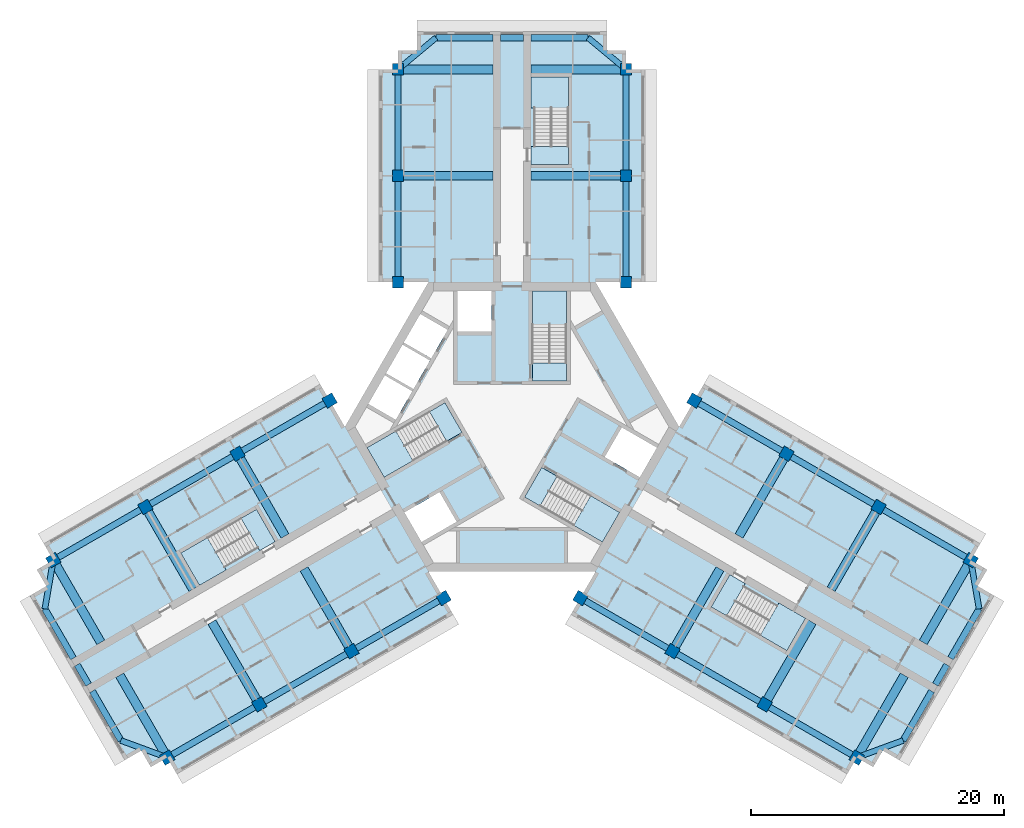
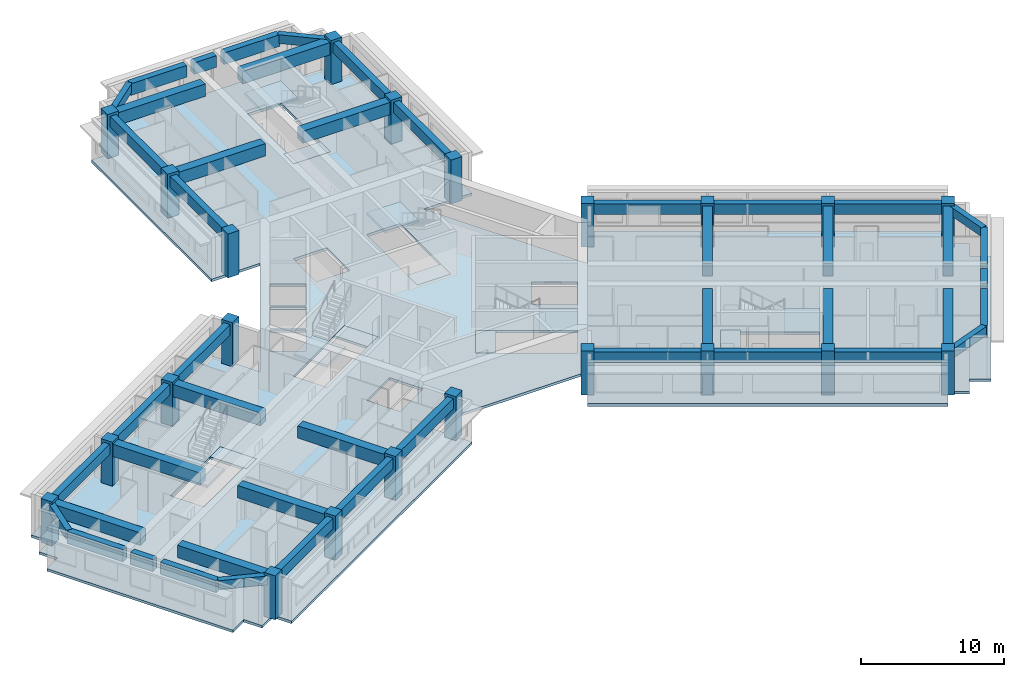
# One storey, part 1 of 11: 47 beams, 22 columns, 13 slabs, 6 elements without a shape of their own.
"""IFC4 building model written with IfcOpenShell, lengths in metres."""

from ifc_helpers import new_model, si_unit, direction, frame, origin, origin_2d, place, context, subcontext, project, spatial, polyline, rectangle, outline, extrude, material, layer, layer_set, material_profile, profile_set, type_object, element, aggregate, save


model = new_model("IFC4")

# Units and contexts
model_context = context("Model", 3, precision=1e-05, world=origin(), true_north=direction((0.0, 1.0)))
body_context = subcontext(model_context, "Body", "Model", "MODEL_VIEW")
ifc_project = project(units=[si_unit("LENGTHUNIT", "METRE"), si_unit("AREAUNIT", "SQUARE_METRE"), si_unit("VOLUMEUNIT", "CUBIC_METRE"), si_unit("PLANEANGLEUNIT", "RADIAN"), si_unit("MASSUNIT", "GRAM", prefix="KILO")], contexts=[model_context])

# Site, building, storey
site_placement = place(None, origin())
site = spatial("IfcSite", under=ifc_project, at=site_placement, CompositionType="ELEMENT")
building_placement = place(site_placement, origin())
building = spatial("IfcBuilding", under=site, at=building_placement, Name="Impinga Residences", CompositionType="ELEMENT")
storey_placement = place(building_placement, frame((0.0, 0.0, 207.25)))
storey = spatial("IfcBuildingStorey", under=building, at=storey_placement, Name="L51", CompositionType="ELEMENT", Elevation=207.25)

# Columns
ifc_material_1 = material(Name="Concrete C60/75", Category="concrete")
ifc_material_profile_1 = material_profile(ifc_material_1, rectangle(XDim=0.89990234375, YDim=0.89990234375, at=origin_2d()), Name="RC 900x900")
ifc_profile_set_1 = profile_set([ifc_material_profile_1], Name="Concrete C60/75")
column_type = type_object("IfcColumnType", Name="C4 900x900 column", PredefinedType="COLUMN", material=ifc_profile_set_1)
for number, where, z_axis, x_axis, name in (
    (1, (-9.0, 11.431640625, 0.0), (0.0, 0.0, 1.0), (1.0, 0.0, 0.0), "Column C4 N1/NA L51"),
    (2, (9.0, 11.431640625, 0.0), (0.0, 0.0, 1.0), (1.0, 0.0, 0.0), "Column C4 N1/NF L51"),
    (3, (-9.0, 19.83154296875, 0.0), (0.0, 0.0, 1.0), (1.0, 0.0, 0.0), "Column C4 N2/NA L51"),
    (4, (9.0, 19.83154296875, 0.0), (0.0, 0.0, 1.0), (1.0, 0.0, 0.0), "Column C4 N2/NF L51"),
    (5, (-9.0, 28.2314453125, 0.0), (0.0, 0.0, 1.0), (1.0, 0.0, 0.0), "Column C4 N3/NA L51"),
    (6, (9.0, 28.2314453125, 0.0), (0.0, 0.0, 1.0), (1.0, 0.0, 0.0), "Column C4 N3/NF L51"),
    (7, (-5.39990234375, -13.510009765625, 0.0), (0.0, 0.0, 1.0), (-0.5, 0.866025403784, 0.0), "Column C4 W1/WA L51"),
    (8, (-14.39990234375, 2.078369140625, 0.0), (0.0, 0.0, 1.0), (-0.5, 0.866025403784, 0.0), "Column C4 W1/WF L51"),
    (9, (-12.674560546875, -17.7099609375, 0.0), (0.0, 0.0, 1.0), (-0.5, 0.866025403784, 0.0), "Column C4 W2/WA L51"),
    (10, (-21.674560546875, -2.12158203125, 0.0), (0.0, 0.0, 1.0), (-0.5, 0.866025403784, 0.0), "Column C4 W2/WF L51"),
    (11, (-19.94921875, -21.909912109375, 0.0), (0.0, 0.0, 1.0), (-0.5, 0.866025403784, 0.0), "Column C4 W3/WA L51"),
    (12, (-28.94921875, -6.321533203125, 0.0), (0.0, 0.0, 1.0), (-0.5, 0.866025403784, 0.0), "Column C4 W3/WF L51"),
    (13, (-27.223876953125, -26.110107421875, 0.0), (0.0, 0.0, 1.0), (-0.5, 0.866025403784, 0.0), "Column C4 W4/WA L51"),
    (14, (-36.223876953125, -10.521484375, 0.0), (0.0, 0.0, 1.0), (-0.5, 0.866025403784, 0.0), "Column C4 W4/WF L51"),
    (15, (14.39990234375, 2.078369140625, 0.0), (0.0, 0.0, 1.0), (-0.5, -0.866025403784, 0.0), "Column C4 E1/EA L51"),
    (16, (5.39990234375, -13.510009765625, 0.0), (0.0, 0.0, 1.0), (-0.5, -0.866025403784, 0.0), "Column C4 E1/EF L51"),
    (17, (21.674560546875, -2.12158203125, 0.0), (0.0, 0.0, 1.0), (-0.5, -0.866025403784, 0.0), "Column C4 E2/EA L51"),
    (18, (12.674560546875, -17.7099609375, 0.0), (0.0, 0.0, 1.0), (-0.5, -0.866025403784, 0.0), "Column C4 E2/EF L51"),
    (19, (28.94921875, -6.321533203125, 0.0), (0.0, 0.0, 1.0), (-0.5, -0.866025403784, 0.0), "Column C4 E3/EA L51"),
    (20, (19.94921875, -21.909912109375, 0.0), (0.0, 0.0, 1.0), (-0.5, -0.866025403784, 0.0), "Column C4 E3/EF L51"),
    (21, (36.223876953125, -10.521484375, 0.0), (0.0, 0.0, 1.0), (-0.5, -0.866025403784, 0.0), "Column C4 E4/EA L51"),
    (22, (27.223876953125, -26.110107421875, 0.0), (0.0, 0.0, 1.0), (-0.5, -0.866025403784, 0.0), "Column C4 E4/EF L51"),
):
    element("IfcColumn", number, at=place(storey_placement, frame(where, z_axis=z_axis, x_axis=x_axis)), inside=storey, type_object=column_type, Name=name, PredefinedType="COLUMN", context=body_context, shape_type="SweptSolid", body=[
        extrude(rectangle(XDim=0.89990234375, YDim=0.89990234375, at=origin_2d()), origin(), (0.0, 0.0, 1.0), 3.75),
    ])

# Beams
ifc_material_profile_2 = material_profile(ifc_material_1, rectangle(XDim=0.449951171875, YDim=0.75, at=origin_2d()), Name="RC 450x750")
ifc_profile_set_2 = profile_set([ifc_material_profile_2], Name="Concrete C60/75")
beam_type_1 = type_object("IfcBeamType", Name="CB1 450x750 wing end cantilever beam", PredefinedType="BEAM", material=ifc_profile_set_2)
for number, where, z_axis, x_axis, name in (
    (23, (-9.0, 28.2314453125, 3.155029296875), (0.768221279597, 0.640184399664, 0.0), (-0.640184399664, 0.768221279597, 0.0), "Beam CB1 NB N3-NX level L52"),
    (24, (9.0, 28.2314453125, 3.155029296875), (-0.768221279597, 0.640184399664, 0.0), (-0.640184399664, -0.768221279597, 0.0), "Beam CB1 NE N3-NX level L52"),
    (25, (-27.223876953125, -26.110107421875, 3.155029296875), (-0.938520178725, 0.345224382289, 0.0), (-0.345224382289, -0.938520178725, 0.0), "Beam CB1 WB W4-WX level L52"),
):
    element("IfcBeam", number, at=place(storey_placement, frame(where, z_axis=z_axis, x_axis=x_axis)), inside=storey, type_object=beam_type_1, Name=name, PredefinedType="BEAM", context=body_context, shape_type="SweptSolid", body=[
        extrude(rectangle(XDim=0.449951171875, YDim=0.75, at=origin_2d()), origin(), (0.0, 0.0, 1.0), 3.905029296875),
    ])
for number, where, z_axis, x_axis, name in (
    (26, (-36.223876953125, -10.521484375, 3.155029296875), (-0.170296298948, -0.985392901621, 0.0), (0.985392901621, -0.170296298948, 0.0), "Beam CB1 WE W4-WX level L52"),
    (27, (36.223876953125, -10.521484375, 3.155029296875), (0.170296298948, -0.985392901621, 0.0), (0.985392901621, 0.170296298948, 0.0), "Beam CB1 EB E4-EX level L52"),
):
    element("IfcBeam", number, at=place(storey_placement, frame(where, z_axis=z_axis, x_axis=x_axis)), inside=storey, type_object=beam_type_1, Name=name, PredefinedType="BEAM", context=body_context, shape_type="SweptSolid", body=[
        extrude(rectangle(XDim=0.449951171875, YDim=0.75, at=origin_2d()), origin(), (0.0, 0.0, 1.0), 3.9052734375),
    ])
beam_1_placement = place(storey_placement, frame((27.223876953125, -26.110107421875, 3.155029296875), z_axis=(0.938520178725, 0.345224382289, 0.0), x_axis=(-0.345224382289, 0.938520178725, 0.0)))
element("IfcBeam", 28, at=beam_1_placement, inside=storey, type_object=beam_type_1, Name="Beam CB1 EE E4-EX level L52", PredefinedType="BEAM", context=body_context, shape_type="SweptSolid", body=[
    extrude(rectangle(XDim=0.449951171875, YDim=0.75, at=origin_2d()), origin(), (0.0, 0.0, 1.0), 3.905029296875),
])
ifc_material_profile_3 = material_profile(ifc_material_1, rectangle(XDim=0.699951171875, YDim=1.050048828125, at=origin_2d()), Name="RC 700x1050")
ifc_profile_set_3 = profile_set([ifc_material_profile_3], Name="Concrete C60/75")
beam_type_2 = type_object("IfcBeamType", Name="CG1 700x1050 cross girder on a wing bay line", PredefinedType="BEAM", material=ifc_profile_set_3)
for number, where, z_axis, x_axis, name in (
    (29, (-1.5, 19.83154296875, 3.0048828125), (-1.0, 0.0, 0.0), (0.0, -1.0, 0.0), "Beam CG1 N2 NC/NA level L52"),
    (30, (-1.5, 28.2314453125, 3.0048828125), (-1.0, 0.0, 0.0), (0.0, -1.0, 0.0), "Beam CG1 N3 NC/NA level L52"),
    (31, (1.5, 19.83154296875, 3.0048828125), (1.0, 0.0, 0.0), (0.0, 1.0, 0.0), "Beam CG1 N2 NC/NF level L52"),
    (32, (1.5, 28.2314453125, 3.0048828125), (1.0, 0.0, 0.0), (0.0, 1.0, 0.0), "Beam CG1 N3 NC/NF level L52"),
    (33, (-16.424560546875, -11.21484375, 3.0048828125), (0.500004234368, -0.866022959057, 0.0), (0.866022959057, 0.500004234368, 0.0), "Beam CG1 W2 WC/WA level L52"),
    (34, (-23.69921875, -15.414794921875, 3.0048828125), (0.500004234368, -0.866022959057, 0.0), (0.866022959057, 0.500004234368, 0.0), "Beam CG1 W3 WC/WA level L52"),
):
    element("IfcBeam", number, at=place(storey_placement, frame(where, z_axis=z_axis, x_axis=x_axis)), inside=storey, type_object=beam_type_2, Name=name, PredefinedType="BEAM", context=body_context, shape_type="SweptSolid", body=[
        extrude(rectangle(XDim=0.699951171875, YDim=1.050048828125, at=origin_2d()), origin(), (0.0, 0.0, 1.0), 7.5),
    ])
beam_2_placement = place(storey_placement, frame((-30.973876953125, -19.61474609375, 3.0048828125), z_axis=(0.499990139034, -0.866031096941, 0.0), x_axis=(0.866031096941, 0.499990139034, 0.0)))
element("IfcBeam", 35, at=beam_2_placement, inside=storey, type_object=beam_type_2, Name="Beam CG1 W4 WC/WA level L52", PredefinedType="BEAM", context=body_context, shape_type="SweptSolid", body=[
    extrude(rectangle(XDim=0.699951171875, YDim=1.050048828125, at=origin_2d()), origin(), (0.0, 0.0, 1.0), 7.500244140625),
])
for number, where, z_axis, x_axis, name in (
    (36, (-17.924560546875, -8.61669921875, 3.0048828125), (-0.500004234368, 0.866022959057, 0.0), (-0.866022959057, -0.500004234368, 0.0), "Beam CG1 W2 WC/WF level L52"),
    (37, (-25.19921875, -12.816650390625, 3.0048828125), (-0.500004234368, 0.866022959057, 0.0), (-0.866022959057, -0.500004234368, 0.0), "Beam CG1 W3 WC/WF level L52"),
):
    element("IfcBeam", number, at=place(storey_placement, frame(where, z_axis=z_axis, x_axis=x_axis)), inside=storey, type_object=beam_type_2, Name=name, PredefinedType="BEAM", context=body_context, shape_type="SweptSolid", body=[
        extrude(rectangle(XDim=0.699951171875, YDim=1.050048828125, at=origin_2d()), origin(), (0.0, 0.0, 1.0), 7.5),
    ])
beam_3_placement = place(storey_placement, frame((-32.473876953125, -17.016845703125, 3.0048828125), z_axis=(-0.499990139034, 0.866031096941, 0.0), x_axis=(-0.866031096941, -0.499990139034, 0.0)))
element("IfcBeam", 38, at=beam_3_placement, inside=storey, type_object=beam_type_2, Name="Beam CG1 W4 WC/WF level L52", PredefinedType="BEAM", context=body_context, shape_type="SweptSolid", body=[
    extrude(rectangle(XDim=0.699951171875, YDim=1.050048828125, at=origin_2d()), origin(), (0.0, 0.0, 1.0), 7.500244140625),
])
for number, where, z_axis, x_axis, name in (
    (39, (17.924560546875, -8.61669921875, 3.0048828125), (0.500004234368, 0.866022959057, 0.0), (-0.866022959057, 0.500004234368, 0.0), "Beam CG1 E2 EC/EA level L52"),
    (40, (25.19921875, -12.816650390625, 3.0048828125), (0.500004234368, 0.866022959057, 0.0), (-0.866022959057, 0.500004234368, 0.0), "Beam CG1 E3 EC/EA level L52"),
):
    element("IfcBeam", number, at=place(storey_placement, frame(where, z_axis=z_axis, x_axis=x_axis)), inside=storey, type_object=beam_type_2, Name=name, PredefinedType="BEAM", context=body_context, shape_type="SweptSolid", body=[
        extrude(rectangle(XDim=0.699951171875, YDim=1.050048828125, at=origin_2d()), origin(), (0.0, 0.0, 1.0), 7.5),
    ])
beam_4_placement = place(storey_placement, frame((32.473876953125, -17.016845703125, 3.0048828125), z_axis=(0.499990139034, 0.866031096941, 0.0), x_axis=(-0.866031096941, 0.499990139034, 0.0)))
element("IfcBeam", 41, at=beam_4_placement, inside=storey, type_object=beam_type_2, Name="Beam CG1 E4 EC/EA level L52", PredefinedType="BEAM", context=body_context, shape_type="SweptSolid", body=[
    extrude(rectangle(XDim=0.699951171875, YDim=1.050048828125, at=origin_2d()), origin(), (0.0, 0.0, 1.0), 7.500244140625),
])
for number, where, z_axis, x_axis, name in (
    (42, (16.424560546875, -11.21484375, 3.0048828125), (-0.500004234368, -0.866022959057, 0.0), (0.866022959057, -0.500004234368, 0.0), "Beam CG1 E2 EC/EF level L52"),
    (43, (23.69921875, -15.414794921875, 3.0048828125), (-0.500004234368, -0.866022959057, 0.0), (0.866022959057, -0.500004234368, 0.0), "Beam CG1 E3 EC/EF level L52"),
):
    element("IfcBeam", number, at=place(storey_placement, frame(where, z_axis=z_axis, x_axis=x_axis)), inside=storey, type_object=beam_type_2, Name=name, PredefinedType="BEAM", context=body_context, shape_type="SweptSolid", body=[
        extrude(rectangle(XDim=0.699951171875, YDim=1.050048828125, at=origin_2d()), origin(), (0.0, 0.0, 1.0), 7.5),
    ])
beam_5_placement = place(storey_placement, frame((30.973876953125, -19.61474609375, 3.0048828125), z_axis=(-0.499990139034, -0.866031096941, 0.0), x_axis=(0.866031096941, -0.499990139034, 0.0)))
element("IfcBeam", 44, at=beam_5_placement, inside=storey, type_object=beam_type_2, Name="Beam CG1 E4 EC/EF level L52", PredefinedType="BEAM", context=body_context, shape_type="SweptSolid", body=[
    extrude(rectangle(XDim=0.699951171875, YDim=1.050048828125, at=origin_2d()), origin(), (0.0, 0.0, 1.0), 7.500244140625),
])
ifc_material_profile_4 = material_profile(ifc_material_1, rectangle(XDim=0.5, YDim=1.0, at=origin_2d()), Name="RC 500x1000")
ifc_profile_set_4 = profile_set([ifc_material_profile_4], Name="Concrete C60/75")
beam_type_3 = type_object("IfcBeamType", Name="EB1 500x1000 wing end beam", PredefinedType="BEAM", material=ifc_profile_set_4)
beam_6_placement = place(storey_placement, frame((-6.0, 30.7314453125, 3.030029296875), z_axis=(1.0, 0.0, 0.0), x_axis=(0.0, 1.0, 0.0)))
element("IfcBeam", 45, at=beam_6_placement, inside=storey, type_object=beam_type_3, Name="Beam EB1 NX2 level L52", PredefinedType="BEAM", context=body_context, shape_type="SweptSolid", body=[
    extrude(rectangle(XDim=0.5, YDim=1.0, at=origin_2d()), origin(), (0.0, 0.0, 1.0), 4.5),
])
beam_7_placement = place(storey_placement, frame((-0.89990234375, 30.7314453125, 3.030029296875), z_axis=(1.0, 0.0, 0.0), x_axis=(0.0, 1.0, 0.0)))
element("IfcBeam", 46, at=beam_7_placement, inside=storey, type_object=beam_type_3, Name="Beam EB1 NX2 level L52", PredefinedType="BEAM", context=body_context, shape_type="SweptSolid", body=[
    extrude(rectangle(XDim=0.5, YDim=1.0, at=origin_2d()), origin(), (0.0, 0.0, 1.0), 1.7998046875),
])
for number, where, z_axis, x_axis, name in (
    (47, (1.5, 30.7314453125, 3.030029296875), (1.0, 0.0, 0.0), (0.0, 1.0, 0.0), "Beam EB1 NX2 level L52"),
    (48, (-30.888916015625, -24.761962890625, 3.030029296875), (-0.499990139034, 0.866031096941, 0.0), (-0.866031096941, -0.499990139034, 0.0), "Beam EB1 WX3 level L52"),
):
    element("IfcBeam", number, at=place(storey_placement, frame(where, z_axis=z_axis, x_axis=x_axis)), inside=storey, type_object=beam_type_3, Name=name, PredefinedType="BEAM", context=body_context, shape_type="SweptSolid", body=[
        extrude(rectangle(XDim=0.5, YDim=1.0, at=origin_2d()), origin(), (0.0, 0.0, 1.0), 4.5),
    ])
beam_8_placement = place(storey_placement, frame((-33.43896484375, -20.34521484375, 3.030029296875), z_axis=(-0.499961193289, 0.866047807691, 0.0), x_axis=(-0.866047807691, -0.499961193289, 0.0)))
element("IfcBeam", 49, at=beam_8_placement, inside=storey, type_object=beam_type_3, Name="Beam EB1 WX3 level L52", PredefinedType="BEAM", context=body_context, shape_type="SweptSolid", body=[
    extrude(rectangle(XDim=0.5, YDim=1.0, at=origin_2d()), origin(), (0.0, 0.0, 1.0), 1.800048828125),
])
for number, where, z_axis, x_axis, name in (
    (50, (-34.638916015625, -18.266845703125, 3.030029296875), (-0.499990139034, 0.866031096941, 0.0), (-0.866031096941, -0.499990139034, 0.0), "Beam EB1 WX3 level L52"),
    (51, (36.888916015625, -14.36962890625, 3.030029296875), (-0.499990139034, -0.866031096941, 0.0), (0.866031096941, -0.499990139034, 0.0), "Beam EB1 EX3 level L52"),
):
    element("IfcBeam", number, at=place(storey_placement, frame(where, z_axis=z_axis, x_axis=x_axis)), inside=storey, type_object=beam_type_3, Name=name, PredefinedType="BEAM", context=body_context, shape_type="SweptSolid", body=[
        extrude(rectangle(XDim=0.5, YDim=1.0, at=origin_2d()), origin(), (0.0, 0.0, 1.0), 4.5),
    ])
beam_9_placement = place(storey_placement, frame((34.3388671875, -18.786376953125, 3.030029296875), z_axis=(-0.499961193289, -0.866047807691, 0.0), x_axis=(0.866047807691, -0.499961193289, 0.0)))
element("IfcBeam", 52, at=beam_9_placement, inside=storey, type_object=beam_type_3, Name="Beam EB1 EX3 level L52", PredefinedType="BEAM", context=body_context, shape_type="SweptSolid", body=[
    extrude(rectangle(XDim=0.5, YDim=1.0, at=origin_2d()), origin(), (0.0, 0.0, 1.0), 1.800048828125),
])
beam_10_placement = place(storey_placement, frame((33.138916015625, -20.86474609375, 3.030029296875), z_axis=(-0.499990139034, -0.866031096941, 0.0), x_axis=(0.866031096941, -0.499990139034, 0.0)))
element("IfcBeam", 53, at=beam_10_placement, inside=storey, type_object=beam_type_3, Name="Beam EB1 EX3 level L52", PredefinedType="BEAM", context=body_context, shape_type="SweptSolid", body=[
    extrude(rectangle(XDim=0.5, YDim=1.0, at=origin_2d()), origin(), (0.0, 0.0, 1.0), 4.5),
])
ifc_material_profile_5 = material_profile(ifc_material_1, rectangle(XDim=0.5, YDim=0.89990234375, at=origin_2d()), Name="RC 500x900")
ifc_profile_set_5 = profile_set([ifc_material_profile_5], Name="Concrete C60/75")
beam_type_4 = type_object("IfcBeamType", Name="SB1 500x900 perimeter spandrel beam", PredefinedType="SPANDREL", material=ifc_profile_set_5)
for number, where, z_axis, x_axis, name in (
    (54, (-9.0, 11.431640625, 3.080078125), (0.0, 1.0, 0.0), (-1.0, 0.0, 0.0), "Beam SB1 NA N1-N2 level L52"),
    (55, (-9.0, 19.83154296875, 3.080078125), (0.0, 1.0, 0.0), (-1.0, 0.0, 0.0), "Beam SB1 NA N2-N3 level L52"),
    (56, (9.0, 11.431640625, 3.080078125), (0.0, 1.0, 0.0), (-1.0, 0.0, 0.0), "Beam SB1 NF N1-N2 level L52"),
    (57, (9.0, 19.83154296875, 3.080078125), (0.0, 1.0, 0.0), (-1.0, 0.0, 0.0), "Beam SB1 NF N2-N3 level L52"),
    (58, (-5.39990234375, -13.510009765625, 3.080078125), (-0.86602925447, -0.499993330357, 0.0), (0.499993330357, -0.86602925447, 0.0), "Beam SB1 WA W1-W2 level L52"),
    (59, (-12.674560546875, -17.7099609375, 3.080078125), (-0.86602925447, -0.499993330357, 0.0), (0.499993330357, -0.86602925447, 0.0), "Beam SB1 WA W2-W3 level L52"),
):
    element("IfcBeam", number, at=place(storey_placement, frame(where, z_axis=z_axis, x_axis=x_axis)), inside=storey, type_object=beam_type_4, Name=name, PredefinedType="SPANDREL", context=body_context, shape_type="SweptSolid", body=[
        extrude(rectangle(XDim=0.5, YDim=0.89990234375, at=origin_2d()), origin(), (0.0, 0.0, 1.0), 8.39990234375),
    ])
beam_11_placement = place(storey_placement, frame((-19.94921875, -21.909912109375, 3.080078125), z_axis=(-0.866016669275, -0.500015128309, 0.0), x_axis=(0.500015128309, -0.866016669275, 0.0)))
element("IfcBeam", 60, at=beam_11_placement, inside=storey, type_object=beam_type_4, Name="Beam SB1 WA W3-W4 level L52", PredefinedType="SPANDREL", context=body_context, shape_type="SweptSolid", body=[
    extrude(rectangle(XDim=0.5, YDim=0.89990234375, at=origin_2d()), origin(), (0.0, 0.0, 1.0), 8.400146484375),
])
for number, where, z_axis, x_axis, name in (
    (61, (-14.39990234375, 2.078369140625, 3.080078125), (-0.86602925447, -0.499993330357, 0.0), (0.499993330357, -0.86602925447, 0.0), "Beam SB1 WF W1-W2 level L52"),
    (62, (-21.674560546875, -2.12158203125, 3.080078125), (-0.86602925447, -0.499993330357, 0.0), (0.499993330357, -0.86602925447, 0.0), "Beam SB1 WF W2-W3 level L52"),
    (63, (-28.94921875, -6.321533203125, 3.080078125), (-0.86602925447, -0.499993330357, 0.0), (0.499993330357, -0.86602925447, 0.0), "Beam SB1 WF W3-W4 level L52"),
    (64, (14.39990234375, 2.078369140625, 3.080078125), (0.86602925447, -0.499993330357, 0.0), (0.499993330357, 0.86602925447, 0.0), "Beam SB1 EA E1-E2 level L52"),
    (65, (21.674560546875, -2.12158203125, 3.080078125), (0.86602925447, -0.499993330357, 0.0), (0.499993330357, 0.86602925447, 0.0), "Beam SB1 EA E2-E3 level L52"),
    (66, (28.94921875, -6.321533203125, 3.080078125), (0.86602925447, -0.499993330357, 0.0), (0.499993330357, 0.86602925447, 0.0), "Beam SB1 EA E3-E4 level L52"),
    (67, (5.39990234375, -13.510009765625, 3.080078125), (0.86602925447, -0.499993330357, 0.0), (0.499993330357, 0.86602925447, 0.0), "Beam SB1 EF E1-E2 level L52"),
    (68, (12.674560546875, -17.7099609375, 3.080078125), (0.86602925447, -0.499993330357, 0.0), (0.499993330357, 0.86602925447, 0.0), "Beam SB1 EF E2-E3 level L52"),
):
    element("IfcBeam", number, at=place(storey_placement, frame(where, z_axis=z_axis, x_axis=x_axis)), inside=storey, type_object=beam_type_4, Name=name, PredefinedType="SPANDREL", context=body_context, shape_type="SweptSolid", body=[
        extrude(rectangle(XDim=0.5, YDim=0.89990234375, at=origin_2d()), origin(), (0.0, 0.0, 1.0), 8.39990234375),
    ])
beam_12_placement = place(storey_placement, frame((19.94921875, -21.909912109375, 3.080078125), z_axis=(0.866016669275, -0.500015128309, 0.0), x_axis=(0.500015128309, 0.866016669275, 0.0)))
element("IfcBeam", 69, at=beam_12_placement, inside=storey, type_object=beam_type_4, Name="Beam SB1 EF E3-E4 level L52", PredefinedType="SPANDREL", context=body_context, shape_type="SweptSolid", body=[
    extrude(rectangle(XDim=0.5, YDim=0.89990234375, at=origin_2d()), origin(), (0.0, 0.0, 1.0), 8.400146484375),
])

# Slab
ifc_layer_1 = layer(ifc_material_1, 0.219970703125)
ifc_layer_set_1 = layer_set([ifc_layer_1], Name="Concrete C60/75")
slab_type_1 = type_object("IfcSlabType", Name="FS1 tower floor slab 220", PredefinedType="FLOOR", material=ifc_layer_set_1)
slab_1_placement = place(storey_placement, frame((0.0, 0.0, -0.219970703125)))
element("IfcSlab", 70, at=slab_1_placement, inside=storey, type_object=slab_type_1, Name="Floor slab FS1 L51", PredefinedType="FLOOR", context=body_context, shape_type="SweptSolid", body=[
    extrude(outline(polyline([(-27.223876953125, -26.110107421875), (-28.52294921875, -26.860107421875), (-29.27294921875, -25.56103515625), (-30.572021484375, -26.31103515625), (-38.072021484375, -13.320556640625), (-36.77294921875, -12.570556640625), (-37.52294921875, -11.271484375), (-36.223876953125, -10.521484375), (-36.973876953125, -9.222412109375), (-15.14990234375, 3.37744140625), (-13.199951171875, 0.0), (-6.60009765625, 11.431640625), (-10.5, 11.431640625), (-10.5, 28.2314453125), (-9.0, 28.2314453125), (-9.0, 29.7314453125), (-7.5, 29.7314453125), (-7.5, 31.2314453125), (7.5, 31.2314453125), (7.5, 29.7314453125), (9.0, 29.7314453125), (9.0, 28.2314453125), (10.5, 28.2314453125), (10.5, 11.431640625), (6.60009765625, 11.431640625), (13.199951171875, 0.0), (15.14990234375, 3.37744140625), (36.973876953125, -9.222412109375), (36.223876953125, -10.521484375), (37.52294921875, -11.271484375), (36.77294921875, -12.570556640625), (38.072021484375, -13.320556640625), (30.572021484375, -26.31103515625), (29.27294921875, -25.56103515625), (28.52294921875, -26.860107421875), (27.223876953125, -26.110107421875), (26.473876953125, -27.408935546875), (4.64990234375, -14.80908203125), (9.900146484375, -5.7158203125), (6.60009765625, -11.431640625), (-6.60009765625, -11.431640625), (-9.900146484375, -5.7158203125), (-4.64990234375, -14.80908203125), (-26.473876953125, -27.408935546875), (-27.223876953125, -26.110107421875)]), holes=[polyline([(-18.7041015625, -9.066650390625), (-18.8291015625, -8.850341796875), (-18.8291015625, -8.850341796875), (-20.178955078125, -6.511962890625), (-21.391357421875, -7.2119140625), (-21.391357421875, -7.2119140625), (-26.154541015625, -9.9619140625), (-24.8046875, -12.30029296875), (-20.04150390625, -9.55029296875), (-19.91650390625, -9.766845703125), (-18.7041015625, -9.066650390625)]), polyline([(-5.72119140625, -5.150634765625), (-8.493896484375, -6.75146484375), (-7.143798828125, -9.089599609375), (-4.37109375, -7.489013671875), (-5.72119140625, -5.150634765625)]), polyline([(-5.293701171875, 1.908935546875), (-11.44384765625, -1.641845703125), (-10.09375, -3.980224609375), (-3.943603515625, -0.429443359375), (-5.293701171875, 1.908935546875)]), polyline([(-7.878662109375, 2.816650390625), (-10.043701171875, 4.066650390625), (-11.34375, 1.81494140625), (-9.1787109375, 0.56494140625), (-7.878662109375, 2.816650390625)]), polyline([(-6.478759765625, 5.24169921875), (-8.643798828125, 6.49169921875), (-9.94384765625, 4.239990234375), (-7.77880859375, 2.989990234375), (-6.478759765625, 5.24169921875)]), polyline([(-6.378662109375, 5.414794921875), (-5.07861328125, 7.66650390625), (-7.243896484375, 8.91650390625), (-8.543701171875, 6.664794921875), (-6.378662109375, 5.414794921875)]), polyline([(-4.300048828125, 7.530029296875), (-1.60009765625, 7.530029296875), (-1.60009765625, 10.7314453125), (-4.300048828125, 10.7314453125), (-4.300048828125, 7.530029296875)]), polyline([(15.72900390625, -14.219482421875), (21.70458984375, -17.669677734375), (23.0546875, -15.331298828125), (18.29150390625, -12.581298828125), (18.41650390625, -12.36474609375), (17.2041015625, -11.664794921875), (15.72900390625, -14.219482421875)]), polyline([(0.99365234375, -5.538818359375), (7.143798828125, -9.089599609375), (8.493896484375, -6.75146484375), (2.34375, -3.20068359375), (0.99365234375, -5.538818359375)]), polyline([(7.3212890625, -2.37939453125), (10.09375, -3.980224609375), (11.44384765625, -1.641845703125), (8.671142578125, -0.041015625), (7.3212890625, -2.37939453125)]), polyline([(4.300048828125, 3.6298828125), (4.300048828125, 10.7314453125), (1.60009765625, 10.7314453125), (1.60009765625, 3.6298828125), (4.300048828125, 3.6298828125)]), polyline([(1.75, 22.131591796875), (1.5, 22.131591796875), (1.5, 20.7314453125), (1.75, 20.7314453125), (4.449951171875, 20.7314453125), (4.449951171875, 22.131591796875), (4.449951171875, 27.631591796875), (1.75, 27.631591796875), (1.75, 22.131591796875)])]), origin(), (0.0, 0.0, 1.0), 0.219970703125),
])

# Stair, slabs
ifc_material_2 = material(Name="Concrete C40/50", Category="concrete")
stair_type_1 = type_object("IfcStairType", Name="STR core stair 3750 storey, 24 risers", PredefinedType="HALF_TURN_STAIR", material=ifc_material_2)
stair_1_placement = place(storey_placement, origin())
stair_1 = element("IfcStair", 71, at=stair_1_placement, inside=storey, type_object=stair_type_1, Name="Stair ST1 L51", PredefinedType="HALF_TURN_STAIR")
ifc_layer_2 = layer(ifc_material_2, 0.199951171875)
ifc_layer_set_2 = layer_set([ifc_layer_2], Name="Concrete C40/50")
slab_type_2 = type_object("IfcSlabType", Name="LS1 stair landing 200", PredefinedType="LANDING", material=ifc_layer_set_2)
slab_2_placement = place(storey_placement, frame((0.0, 0.0, -0.199951171875)))
slab_2 = element("IfcSlab", 72, at=slab_2_placement, type_object=slab_type_2, Name="ST1 landing 1", PredefinedType="LANDING", context=body_context, shape_type="SweptSolid", body=[
    extrude(outline(polyline([(1.60009765625, 3.6298828125), (4.300048828125, 3.6298828125), (4.300048828125, 5.0400390625), (1.60009765625, 5.0400390625), (1.60009765625, 3.6298828125)])), origin(), (0.0, 0.0, 1.0), 0.199951171875),
])
slab_3_placement = place(storey_placement, frame((0.0, 0.0, 1.675048828125)))
slab_3 = element("IfcSlab", 73, at=slab_3_placement, type_object=slab_type_2, Name="ST1 landing 2", PredefinedType="LANDING", context=body_context, shape_type="SweptSolid", body=[
    extrude(outline(polyline([(1.60009765625, 8.10009765625), (4.300048828125, 8.10009765625), (4.300048828125, 10.7314453125), (1.60009765625, 10.7314453125), (1.60009765625, 8.10009765625)])), origin(), (0.0, 0.0, 1.0), 0.199951171875),
])
aggregate(stair_1, [slab_2, slab_3])

stair_2_placement = place(storey_placement, origin())
stair_2 = element("IfcStair", 74, at=stair_2_placement, inside=storey, type_object=stair_type_1, Name="Stair ST2 L51", PredefinedType="HALF_TURN_STAIR")
slab_4_placement = place(storey_placement, frame((0.0, 0.0, -0.199951171875)))
slab_4 = element("IfcSlab", 75, at=slab_4_placement, type_object=slab_type_2, Name="ST2 landing 1", PredefinedType="LANDING", context=body_context, shape_type="SweptSolid", body=[
    extrude(outline(polyline([(-3.943603515625, -0.429443359375), (-5.293701171875, 1.908935546875), (-6.5146484375, 1.203857421875), (-5.164794921875, -1.13427734375), (-3.943603515625, -0.429443359375)])), origin(), (0.0, 0.0, 1.0), 0.199951171875),
])
slab_5_placement = place(storey_placement, frame((0.0, 0.0, 1.675048828125)))
slab_5 = element("IfcSlab", 76, at=slab_5_placement, type_object=slab_type_2, Name="ST2 landing 2", PredefinedType="LANDING", context=body_context, shape_type="SweptSolid", body=[
    extrude(outline(polyline([(-7.814697265625, -2.664306640625), (-9.164794921875, -0.326171875), (-11.44384765625, -1.641845703125), (-10.09375, -3.980224609375), (-7.814697265625, -2.664306640625)])), origin(), (0.0, 0.0, 1.0), 0.199951171875),
])
aggregate(stair_2, [slab_4, slab_5])

stair_3_placement = place(storey_placement, origin())
stair_3 = element("IfcStair", 77, at=stair_3_placement, inside=storey, type_object=stair_type_1, Name="Stair ST3 L51", PredefinedType="HALF_TURN_STAIR")
slab_6_placement = place(storey_placement, frame((0.0, 0.0, -0.199951171875)))
slab_6 = element("IfcSlab", 78, at=slab_6_placement, type_object=slab_type_2, Name="ST3 landing 1", PredefinedType="LANDING", context=body_context, shape_type="SweptSolid", body=[
    extrude(outline(polyline([(2.34375, -3.20068359375), (0.99365234375, -5.538818359375), (2.21484375, -6.243896484375), (3.564697265625, -3.90576171875), (2.34375, -3.20068359375)])), origin(), (0.0, 0.0, 1.0), 0.199951171875),
])
slab_7_placement = place(storey_placement, frame((0.0, 0.0, 1.675048828125)))
slab_7 = element("IfcSlab", 79, at=slab_7_placement, type_object=slab_type_2, Name="ST3 landing 2", PredefinedType="LANDING", context=body_context, shape_type="SweptSolid", body=[
    extrude(outline(polyline([(6.21484375, -5.435546875), (4.86474609375, -7.77392578125), (7.143798828125, -9.089599609375), (8.493896484375, -6.75146484375), (6.21484375, -5.435546875)])), origin(), (0.0, 0.0, 1.0), 0.199951171875),
])
aggregate(stair_3, [slab_6, slab_7])

stair_type_2 = type_object("IfcStairType", Name="STR wing stair 3750 storey, 24 risers", PredefinedType="HALF_TURN_STAIR", material=ifc_material_2)
stair_4_placement = place(storey_placement, origin())
stair_4 = element("IfcStair", 80, at=stair_4_placement, inside=storey, type_object=stair_type_2, Name="Stair WS1 L51", PredefinedType="HALF_TURN_STAIR")
slab_8_placement = place(storey_placement, frame((0.0, 0.0, -0.199951171875)))
slab_8 = element("IfcSlab", 81, at=slab_8_placement, type_object=slab_type_2, Name="WS1 landing 1", PredefinedType="LANDING", context=body_context, shape_type="SweptSolid", body=[
    extrude(outline(polyline([(1.5, 20.7314453125), (4.449951171875, 20.7314453125), (4.449951171875, 22.1416015625), (1.5, 22.1416015625), (1.5, 20.7314453125)])), origin(), (0.0, 0.0, 1.0), 0.199951171875),
])
slab_9_placement = place(storey_placement, frame((0.0, 0.0, 1.675048828125)))
slab_9 = element("IfcSlab", 82, at=slab_9_placement, type_object=slab_type_2, Name="WS1 landing 2", PredefinedType="LANDING", context=body_context, shape_type="SweptSolid", body=[
    extrude(outline(polyline([(1.5, 25.201416015625), (4.449951171875, 25.201416015625), (4.449951171875, 27.631591796875), (1.5, 27.631591796875), (1.5, 25.201416015625)])), origin(), (0.0, 0.0, 1.0), 0.199951171875),
])
aggregate(stair_4, [slab_8, slab_9])

stair_5_placement = place(storey_placement, origin())
stair_5 = element("IfcStair", 83, at=stair_5_placement, inside=storey, type_object=stair_type_2, Name="Stair WS2 L51", PredefinedType="HALF_TURN_STAIR")
slab_10_placement = place(storey_placement, frame((0.0, 0.0, -0.199951171875)))
slab_10 = element("IfcSlab", 84, at=slab_10_placement, type_object=slab_type_2, Name="WS2 landing 1", PredefinedType="LANDING", context=body_context, shape_type="SweptSolid", body=[
    extrude(outline(polyline([(-18.7041015625, -9.066650390625), (-20.178955078125, -6.511962890625), (-21.400146484375, -7.217041015625), (-19.925048828125, -9.771728515625), (-18.7041015625, -9.066650390625)])), origin(), (0.0, 0.0, 1.0), 0.199951171875),
])
slab_11_placement = place(storey_placement, frame((0.0, 0.0, 1.675048828125)))
slab_11 = element("IfcSlab", 85, at=slab_11_placement, type_object=slab_type_2, Name="WS2 landing 2", PredefinedType="LANDING", context=body_context, shape_type="SweptSolid", body=[
    extrude(outline(polyline([(-22.5751953125, -11.3017578125), (-24.050048828125, -8.7470703125), (-26.154541015625, -9.9619140625), (-24.6796875, -12.516845703125), (-22.5751953125, -11.3017578125)])), origin(), (0.0, 0.0, 1.0), 0.199951171875),
])
aggregate(stair_5, [slab_10, slab_11])

stair_6_placement = place(storey_placement, origin())
stair_6 = element("IfcStair", 86, at=stair_6_placement, inside=storey, type_object=stair_type_2, Name="Stair WS3 L51", PredefinedType="HALF_TURN_STAIR")
slab_12_placement = place(storey_placement, frame((0.0, 0.0, -0.199951171875)))
slab_12 = element("IfcSlab", 87, at=slab_12_placement, type_object=slab_type_2, Name="WS3 landing 1", PredefinedType="LANDING", context=body_context, shape_type="SweptSolid", body=[
    extrude(outline(polyline([(17.2041015625, -11.664794921875), (15.72900390625, -14.219482421875), (16.9501953125, -14.924560546875), (18.425048828125, -12.369873046875), (17.2041015625, -11.664794921875)])), origin(), (0.0, 0.0, 1.0), 0.199951171875),
])
slab_13_placement = place(storey_placement, frame((0.0, 0.0, 1.675048828125)))
slab_13 = element("IfcSlab", 88, at=slab_13_placement, type_object=slab_type_2, Name="WS3 landing 2", PredefinedType="LANDING", context=body_context, shape_type="SweptSolid", body=[
    extrude(outline(polyline([(21.0751953125, -13.89990234375), (19.60009765625, -16.45458984375), (21.70458984375, -17.669677734375), (23.1796875, -15.11474609375), (21.0751953125, -13.89990234375)])), origin(), (0.0, 0.0, 1.0), 0.199951171875),
])
aggregate(stair_6, [slab_12, slab_13])

save(model, "model.ifc")
